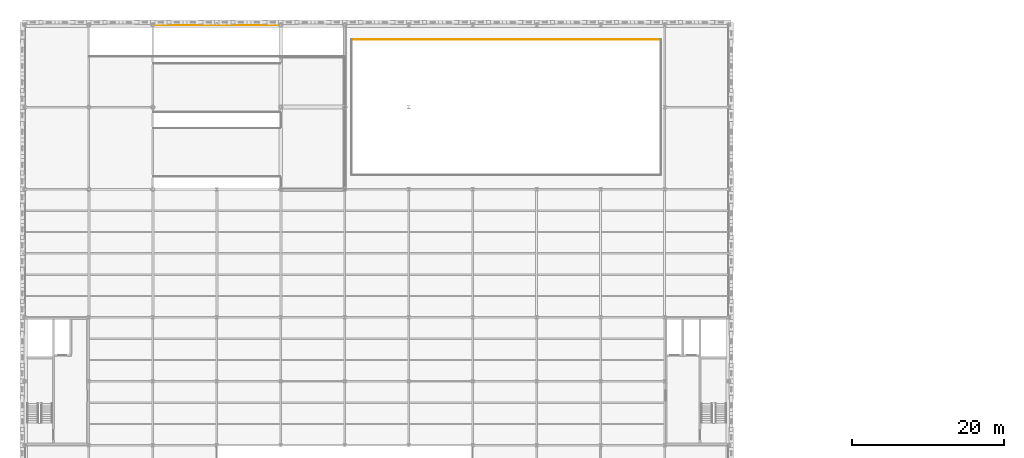
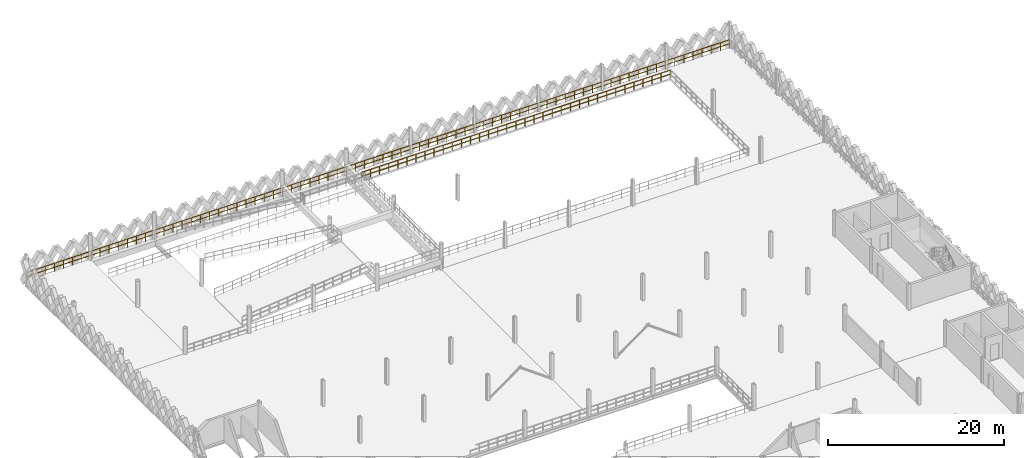
# One storey, part 60 of 62: 2 railings.
"""IFC4 building model written with IfcOpenShell, lengths in metres."""

from ifc_helpers import new_model, si_unit, direction, frame, origin, origin_2d, place, context, subcontext, project, spatial, circle, extrude, material, type_object, element, save


model = new_model("IFC4")

# Units and contexts
model_context = context("Model", 3, precision=1e-05, world=origin(), true_north=direction((0.0, 1.0)))
body_context = subcontext(model_context, "Body", "Model", "MODEL_VIEW")
ifc_project = project(units=[si_unit("LENGTHUNIT", "METRE"), si_unit("AREAUNIT", "SQUARE_METRE"), si_unit("VOLUMEUNIT", "CUBIC_METRE"), si_unit("PLANEANGLEUNIT", "RADIAN"), si_unit("MASSUNIT", "GRAM", prefix="KILO"), si_unit("THERMODYNAMICTEMPERATUREUNIT", "KELVIN"), si_unit("POWERUNIT", "WATT")], contexts=[model_context])

# Site, building, storey
site_placement = place(None, origin())
site = spatial("IfcSite", under=ifc_project, at=site_placement, CompositionType="ELEMENT")
building_placement = place(site_placement, origin())
building = spatial("IfcBuilding", under=site, at=building_placement, Name="Tembeka Court Mobility Hub", CompositionType="ELEMENT")
storey_placement = place(building_placement, frame((0.0, 0.0, 16.199951171875)))
storey = spatial("IfcBuildingStorey", under=building, at=storey_placement, Name="L04", CompositionType="ELEMENT", Elevation=16.199951171875)

# Railings
ifc_material = material(Name="Painted galvanised steel balustrade", Category="steel")
railing_type_1 = type_object("IfcRailingType", Name="RL-GR01", PredefinedType="GUARDRAIL", material=ifc_material)
railing_1_placement = place(storey_placement, frame((83.469970703125, 116.89990234375, 0.0)))
element("IfcRailing", 1, at=railing_1_placement, inside=storey, type_object=railing_type_1, Name="Perimeter guard GR01-0145", PredefinedType="GUARDRAIL", context=body_context, shape_type="SweptSolid", body=[
    extrude(circle(Radius=0.02392578125, at=origin_2d()), frame((0.0, 0.0, 1.09619140625), z_axis=(-1.0, 0.0, 0.0), x_axis=(0.0, -1.0, 0.0)), (0.0, 0.0, 1.0), 40.5400390625),
    extrude(circle(Radius=0.02392578125, at=origin_2d()), frame((0.0, 0.0, 0.5361328125), z_axis=(-1.0, 0.0, 0.0), x_axis=(0.0, -1.0, 0.0)), (0.0, 0.0, 1.0), 40.5400390625),
    extrude(circle(Radius=0.02099609375, at=origin_2d()), origin(), (0.0, 0.0, 1.0), 1.072021484375),
    extrude(circle(Radius=0.02099609375, at=origin_2d()), frame((-1.1923828125, 0.0, 0.0)), (0.0, 0.0, 1.0), 1.072021484375),
    extrude(circle(Radius=0.02099609375, at=origin_2d()), frame((-2.384765625, 0.0, 0.0)), (0.0, 0.0, 1.0), 1.072021484375),
    extrude(circle(Radius=0.02099609375, at=origin_2d()), frame((-3.5771484375, 0.0, 0.0)), (0.0, 0.0, 1.0), 1.072021484375),
    extrude(circle(Radius=0.02099609375, at=origin_2d()), frame((-4.76953125, 0.0, 0.0)), (0.0, 0.0, 1.0), 1.072021484375),
    extrude(circle(Radius=0.02099609375, at=origin_2d()), frame((-5.961669921875, 0.0, 0.0)), (0.0, 0.0, 1.0), 1.072021484375),
    extrude(circle(Radius=0.02099609375, at=origin_2d()), frame((-7.154052734375, 0.0, 0.0)), (0.0, 0.0, 1.0), 1.072021484375),
    extrude(circle(Radius=0.02099609375, at=origin_2d()), frame((-8.346435546875, 0.0, 0.0)), (0.0, 0.0, 1.0), 1.072021484375),
    extrude(circle(Radius=0.02099609375, at=origin_2d()), frame((-9.538818359375, 0.0, 0.0)), (0.0, 0.0, 1.0), 1.072021484375),
    extrude(circle(Radius=0.02099609375, at=origin_2d()), frame((-10.731201171875, 0.0, 0.0)), (0.0, 0.0, 1.0), 1.072021484375),
    extrude(circle(Radius=0.02099609375, at=origin_2d()), frame((-11.923583984375, 0.0, 0.0)), (0.0, 0.0, 1.0), 1.072021484375),
    extrude(circle(Radius=0.02099609375, at=origin_2d()), frame((-13.115966796875, 0.0, 0.0)), (0.0, 0.0, 1.0), 1.072021484375),
    extrude(circle(Radius=0.02099609375, at=origin_2d()), frame((-14.308349609375, 0.0, 0.0)), (0.0, 0.0, 1.0), 1.072021484375),
    extrude(circle(Radius=0.02099609375, at=origin_2d()), frame((-15.50048828125, 0.0, 0.0)), (0.0, 0.0, 1.0), 1.072021484375),
    extrude(circle(Radius=0.02099609375, at=origin_2d()), frame((-16.69287109375, 0.0, 0.0)), (0.0, 0.0, 1.0), 1.072021484375),
    extrude(circle(Radius=0.02099609375, at=origin_2d()), frame((-17.88525390625, 0.0, 0.0)), (0.0, 0.0, 1.0), 1.072021484375),
    extrude(circle(Radius=0.02099609375, at=origin_2d()), frame((-19.07763671875, 0.0, 0.0)), (0.0, 0.0, 1.0), 1.072021484375),
    extrude(circle(Radius=0.02099609375, at=origin_2d()), frame((-20.27001953125, 0.0, 0.0)), (0.0, 0.0, 1.0), 1.072021484375),
    extrude(circle(Radius=0.02099609375, at=origin_2d()), frame((-21.46240234375, 0.0, 0.0)), (0.0, 0.0, 1.0), 1.072021484375),
    extrude(circle(Radius=0.02099609375, at=origin_2d()), frame((-22.65478515625, 0.0, 0.0)), (0.0, 0.0, 1.0), 1.072021484375),
    extrude(circle(Radius=0.02099609375, at=origin_2d()), frame((-23.84716796875, 0.0, 0.0)), (0.0, 0.0, 1.0), 1.072021484375),
    extrude(circle(Radius=0.02099609375, at=origin_2d()), frame((-25.03955078125, 0.0, 0.0)), (0.0, 0.0, 1.0), 1.072021484375),
    extrude(circle(Radius=0.02099609375, at=origin_2d()), frame((-26.231689453125, 0.0, 0.0)), (0.0, 0.0, 1.0), 1.072021484375),
    extrude(circle(Radius=0.02099609375, at=origin_2d()), frame((-27.424072265625, 0.0, 0.0)), (0.0, 0.0, 1.0), 1.072021484375),
    extrude(circle(Radius=0.02099609375, at=origin_2d()), frame((-28.616455078125, 0.0, 0.0)), (0.0, 0.0, 1.0), 1.072021484375),
    extrude(circle(Radius=0.02099609375, at=origin_2d()), frame((-29.808837890625, 0.0, 0.0)), (0.0, 0.0, 1.0), 1.072021484375),
    extrude(circle(Radius=0.02099609375, at=origin_2d()), frame((-31.001220703125, 0.0, 0.0)), (0.0, 0.0, 1.0), 1.072021484375),
    extrude(circle(Radius=0.02099609375, at=origin_2d()), frame((-32.193603515625, 0.0, 0.0)), (0.0, 0.0, 1.0), 1.072021484375),
    extrude(circle(Radius=0.02099609375, at=origin_2d()), frame((-33.385986328125, 0.0, 0.0)), (0.0, 0.0, 1.0), 1.072021484375),
    extrude(circle(Radius=0.02099609375, at=origin_2d()), frame((-34.578369140625, 0.0, 0.0)), (0.0, 0.0, 1.0), 1.072021484375),
    extrude(circle(Radius=0.02099609375, at=origin_2d()), frame((-35.7705078125, 0.0, 0.0)), (0.0, 0.0, 1.0), 1.072021484375),
    extrude(circle(Radius=0.02099609375, at=origin_2d()), frame((-36.962890625, 0.0, 0.0)), (0.0, 0.0, 1.0), 1.072021484375),
    extrude(circle(Radius=0.02099609375, at=origin_2d()), frame((-38.1552734375, 0.0, 0.0)), (0.0, 0.0, 1.0), 1.072021484375),
    extrude(circle(Radius=0.02099609375, at=origin_2d()), frame((-39.34765625, 0.0, 0.0)), (0.0, 0.0, 1.0), 1.072021484375),
    extrude(circle(Radius=0.02099609375, at=origin_2d()), frame((-40.5400390625, 0.0, 0.0)), (0.0, 0.0, 1.0), 1.072021484375),
])
railing_type_2 = type_object("IfcRailingType", Name="RL-GR02", PredefinedType="GUARDRAIL", material=ifc_material)
railing_2_placement = place(storey_placement, frame((0.080078125, 118.75, 0.0)))
element("IfcRailing", 2, at=railing_2_placement, inside=storey, type_object=railing_type_2, Name="Perimeter guard GR02-0148", PredefinedType="GUARDRAIL", context=body_context, shape_type="SweptSolid", body=[
    extrude(circle(Radius=0.02392578125, at=origin_2d()), frame((0.0, 0.0, 1.09619140625), z_axis=(1.0, 0.0, 0.0), x_axis=(0.0, 1.0, 0.0)), (0.0, 0.0, 1.0), 92.239990234375),
    extrude(circle(Radius=0.02392578125, at=origin_2d()), frame((0.0, 0.0, 0.5361328125), z_axis=(1.0, 0.0, 0.0), x_axis=(0.0, 1.0, 0.0)), (0.0, 0.0, 1.0), 92.239990234375),
    extrude(circle(Radius=0.02099609375, at=origin_2d()), origin(), (0.0, 0.0, 1.0), 1.072021484375),
    extrude(circle(Radius=0.02099609375, at=origin_2d()), frame((1.197998046875, 0.0, 0.0)), (0.0, 0.0, 1.0), 1.072021484375),
    extrude(circle(Radius=0.02099609375, at=origin_2d()), frame((2.395751953125, 0.0, 0.0)), (0.0, 0.0, 1.0), 1.072021484375),
    extrude(circle(Radius=0.02099609375, at=origin_2d()), frame((3.59375, 0.0, 0.0)), (0.0, 0.0, 1.0), 1.072021484375),
    extrude(circle(Radius=0.02099609375, at=origin_2d()), frame((4.791748046875, 0.0, 0.0)), (0.0, 0.0, 1.0), 1.072021484375),
    extrude(circle(Radius=0.02099609375, at=origin_2d()), frame((5.989501953125, 0.0, 0.0)), (0.0, 0.0, 1.0), 1.072021484375),
    extrude(circle(Radius=0.02099609375, at=origin_2d()), frame((7.1875, 0.0, 0.0)), (0.0, 0.0, 1.0), 1.072021484375),
    extrude(circle(Radius=0.02099609375, at=origin_2d()), frame((8.385498046875, 0.0, 0.0)), (0.0, 0.0, 1.0), 1.072021484375),
    extrude(circle(Radius=0.02099609375, at=origin_2d()), frame((9.58349609375, 0.0, 0.0)), (0.0, 0.0, 1.0), 1.072021484375),
    extrude(circle(Radius=0.02099609375, at=origin_2d()), frame((10.78125, 0.0, 0.0)), (0.0, 0.0, 1.0), 1.072021484375),
    extrude(circle(Radius=0.02099609375, at=origin_2d()), frame((11.979248046875, 0.0, 0.0)), (0.0, 0.0, 1.0), 1.072021484375),
    extrude(circle(Radius=0.02099609375, at=origin_2d()), frame((13.17724609375, 0.0, 0.0)), (0.0, 0.0, 1.0), 1.072021484375),
    extrude(circle(Radius=0.02099609375, at=origin_2d()), frame((14.375, 0.0, 0.0)), (0.0, 0.0, 1.0), 1.072021484375),
    extrude(circle(Radius=0.02099609375, at=origin_2d()), frame((15.572998046875, 0.0, 0.0)), (0.0, 0.0, 1.0), 1.072021484375),
    extrude(circle(Radius=0.02099609375, at=origin_2d()), frame((16.77099609375, 0.0, 0.0)), (0.0, 0.0, 1.0), 1.072021484375),
    extrude(circle(Radius=0.02099609375, at=origin_2d()), frame((17.96875, 0.0, 0.0)), (0.0, 0.0, 1.0), 1.072021484375),
    extrude(circle(Radius=0.02099609375, at=origin_2d()), frame((19.166748046875, 0.0, 0.0)), (0.0, 0.0, 1.0), 1.072021484375),
    extrude(circle(Radius=0.02099609375, at=origin_2d()), frame((20.36474609375, 0.0, 0.0)), (0.0, 0.0, 1.0), 1.072021484375),
    extrude(circle(Radius=0.02099609375, at=origin_2d()), frame((21.5625, 0.0, 0.0)), (0.0, 0.0, 1.0), 1.072021484375),
    extrude(circle(Radius=0.02099609375, at=origin_2d()), frame((22.760498046875, 0.0, 0.0)), (0.0, 0.0, 1.0), 1.072021484375),
    extrude(circle(Radius=0.02099609375, at=origin_2d()), frame((23.95849609375, 0.0, 0.0)), (0.0, 0.0, 1.0), 1.072021484375),
    extrude(circle(Radius=0.02099609375, at=origin_2d()), frame((25.15625, 0.0, 0.0)), (0.0, 0.0, 1.0), 1.072021484375),
    extrude(circle(Radius=0.02099609375, at=origin_2d()), frame((26.354248046875, 0.0, 0.0)), (0.0, 0.0, 1.0), 1.072021484375),
    extrude(circle(Radius=0.02099609375, at=origin_2d()), frame((27.55224609375, 0.0, 0.0)), (0.0, 0.0, 1.0), 1.072021484375),
    extrude(circle(Radius=0.02099609375, at=origin_2d()), frame((28.750244140625, 0.0, 0.0)), (0.0, 0.0, 1.0), 1.072021484375),
    extrude(circle(Radius=0.02099609375, at=origin_2d()), frame((29.947998046875, 0.0, 0.0)), (0.0, 0.0, 1.0), 1.072021484375),
    extrude(circle(Radius=0.02099609375, at=origin_2d()), frame((31.14599609375, 0.0, 0.0)), (0.0, 0.0, 1.0), 1.072021484375),
    extrude(circle(Radius=0.02099609375, at=origin_2d()), frame((32.343994140625, 0.0, 0.0)), (0.0, 0.0, 1.0), 1.072021484375),
    extrude(circle(Radius=0.02099609375, at=origin_2d()), frame((33.541748046875, 0.0, 0.0)), (0.0, 0.0, 1.0), 1.072021484375),
    extrude(circle(Radius=0.02099609375, at=origin_2d()), frame((34.73974609375, 0.0, 0.0)), (0.0, 0.0, 1.0), 1.072021484375),
    extrude(circle(Radius=0.02099609375, at=origin_2d()), frame((35.937744140625, 0.0, 0.0)), (0.0, 0.0, 1.0), 1.072021484375),
    extrude(circle(Radius=0.02099609375, at=origin_2d()), frame((37.135498046875, 0.0, 0.0)), (0.0, 0.0, 1.0), 1.072021484375),
    extrude(circle(Radius=0.02099609375, at=origin_2d()), frame((38.33349609375, 0.0, 0.0)), (0.0, 0.0, 1.0), 1.072021484375),
    extrude(circle(Radius=0.02099609375, at=origin_2d()), frame((39.531494140625, 0.0, 0.0)), (0.0, 0.0, 1.0), 1.072021484375),
    extrude(circle(Radius=0.02099609375, at=origin_2d()), frame((40.729248046875, 0.0, 0.0)), (0.0, 0.0, 1.0), 1.072021484375),
    extrude(circle(Radius=0.02099609375, at=origin_2d()), frame((41.92724609375, 0.0, 0.0)), (0.0, 0.0, 1.0), 1.072021484375),
    extrude(circle(Radius=0.02099609375, at=origin_2d()), frame((43.125244140625, 0.0, 0.0)), (0.0, 0.0, 1.0), 1.072021484375),
    extrude(circle(Radius=0.02099609375, at=origin_2d()), frame((44.322998046875, 0.0, 0.0)), (0.0, 0.0, 1.0), 1.072021484375),
    extrude(circle(Radius=0.02099609375, at=origin_2d()), frame((45.52099609375, 0.0, 0.0)), (0.0, 0.0, 1.0), 1.072021484375),
    extrude(circle(Radius=0.02099609375, at=origin_2d()), frame((46.718994140625, 0.0, 0.0)), (0.0, 0.0, 1.0), 1.072021484375),
    extrude(circle(Radius=0.02099609375, at=origin_2d()), frame((47.9169921875, 0.0, 0.0)), (0.0, 0.0, 1.0), 1.072021484375),
    extrude(circle(Radius=0.02099609375, at=origin_2d()), frame((49.11474609375, 0.0, 0.0)), (0.0, 0.0, 1.0), 1.072021484375),
    extrude(circle(Radius=0.02099609375, at=origin_2d()), frame((50.312744140625, 0.0, 0.0)), (0.0, 0.0, 1.0), 1.072021484375),
    extrude(circle(Radius=0.02099609375, at=origin_2d()), frame((51.5107421875, 0.0, 0.0)), (0.0, 0.0, 1.0), 1.072021484375),
    extrude(circle(Radius=0.02099609375, at=origin_2d()), frame((52.70849609375, 0.0, 0.0)), (0.0, 0.0, 1.0), 1.072021484375),
    extrude(circle(Radius=0.02099609375, at=origin_2d()), frame((53.906494140625, 0.0, 0.0)), (0.0, 0.0, 1.0), 1.072021484375),
    extrude(circle(Radius=0.02099609375, at=origin_2d()), frame((55.1044921875, 0.0, 0.0)), (0.0, 0.0, 1.0), 1.072021484375),
    extrude(circle(Radius=0.02099609375, at=origin_2d()), frame((56.30224609375, 0.0, 0.0)), (0.0, 0.0, 1.0), 1.072021484375),
    extrude(circle(Radius=0.02099609375, at=origin_2d()), frame((57.500244140625, 0.0, 0.0)), (0.0, 0.0, 1.0), 1.072021484375),
    extrude(circle(Radius=0.02099609375, at=origin_2d()), frame((58.6982421875, 0.0, 0.0)), (0.0, 0.0, 1.0), 1.072021484375),
    extrude(circle(Radius=0.02099609375, at=origin_2d()), frame((59.89599609375, 0.0, 0.0)), (0.0, 0.0, 1.0), 1.072021484375),
    extrude(circle(Radius=0.02099609375, at=origin_2d()), frame((61.093994140625, 0.0, 0.0)), (0.0, 0.0, 1.0), 1.072021484375),
    extrude(circle(Radius=0.02099609375, at=origin_2d()), frame((62.2919921875, 0.0, 0.0)), (0.0, 0.0, 1.0), 1.072021484375),
    extrude(circle(Radius=0.02099609375, at=origin_2d()), frame((63.48974609375, 0.0, 0.0)), (0.0, 0.0, 1.0), 1.072021484375),
    extrude(circle(Radius=0.02099609375, at=origin_2d()), frame((64.687744140625, 0.0, 0.0)), (0.0, 0.0, 1.0), 1.072021484375),
    extrude(circle(Radius=0.02099609375, at=origin_2d()), frame((65.8857421875, 0.0, 0.0)), (0.0, 0.0, 1.0), 1.072021484375),
    extrude(circle(Radius=0.02099609375, at=origin_2d()), frame((67.083740234375, 0.0, 0.0)), (0.0, 0.0, 1.0), 1.072021484375),
    extrude(circle(Radius=0.02099609375, at=origin_2d()), frame((68.281494140625, 0.0, 0.0)), (0.0, 0.0, 1.0), 1.072021484375),
    extrude(circle(Radius=0.02099609375, at=origin_2d()), frame((69.4794921875, 0.0, 0.0)), (0.0, 0.0, 1.0), 1.072021484375),
    extrude(circle(Radius=0.02099609375, at=origin_2d()), frame((70.677490234375, 0.0, 0.0)), (0.0, 0.0, 1.0), 1.072021484375),
    extrude(circle(Radius=0.02099609375, at=origin_2d()), frame((71.875244140625, 0.0, 0.0)), (0.0, 0.0, 1.0), 1.072021484375),
    extrude(circle(Radius=0.02099609375, at=origin_2d()), frame((73.0732421875, 0.0, 0.0)), (0.0, 0.0, 1.0), 1.072021484375),
    extrude(circle(Radius=0.02099609375, at=origin_2d()), frame((74.271240234375, 0.0, 0.0)), (0.0, 0.0, 1.0), 1.072021484375),
    extrude(circle(Radius=0.02099609375, at=origin_2d()), frame((75.468994140625, 0.0, 0.0)), (0.0, 0.0, 1.0), 1.072021484375),
    extrude(circle(Radius=0.02099609375, at=origin_2d()), frame((76.6669921875, 0.0, 0.0)), (0.0, 0.0, 1.0), 1.072021484375),
    extrude(circle(Radius=0.02099609375, at=origin_2d()), frame((77.864990234375, 0.0, 0.0)), (0.0, 0.0, 1.0), 1.072021484375),
    extrude(circle(Radius=0.02099609375, at=origin_2d()), frame((79.062744140625, 0.0, 0.0)), (0.0, 0.0, 1.0), 1.072021484375),
    extrude(circle(Radius=0.02099609375, at=origin_2d()), frame((80.2607421875, 0.0, 0.0)), (0.0, 0.0, 1.0), 1.072021484375),
    extrude(circle(Radius=0.02099609375, at=origin_2d()), frame((81.458740234375, 0.0, 0.0)), (0.0, 0.0, 1.0), 1.072021484375),
    extrude(circle(Radius=0.02099609375, at=origin_2d()), frame((82.656494140625, 0.0, 0.0)), (0.0, 0.0, 1.0), 1.072021484375),
    extrude(circle(Radius=0.02099609375, at=origin_2d()), frame((83.8544921875, 0.0, 0.0)), (0.0, 0.0, 1.0), 1.072021484375),
    extrude(circle(Radius=0.02099609375, at=origin_2d()), frame((85.052490234375, 0.0, 0.0)), (0.0, 0.0, 1.0), 1.072021484375),
    extrude(circle(Radius=0.02099609375, at=origin_2d()), frame((86.25048828125, 0.0, 0.0)), (0.0, 0.0, 1.0), 1.072021484375),
    extrude(circle(Radius=0.02099609375, at=origin_2d()), frame((87.4482421875, 0.0, 0.0)), (0.0, 0.0, 1.0), 1.072021484375),
    extrude(circle(Radius=0.02099609375, at=origin_2d()), frame((88.646240234375, 0.0, 0.0)), (0.0, 0.0, 1.0), 1.072021484375),
    extrude(circle(Radius=0.02099609375, at=origin_2d()), frame((89.84423828125, 0.0, 0.0)), (0.0, 0.0, 1.0), 1.072021484375),
    extrude(circle(Radius=0.02099609375, at=origin_2d()), frame((91.0419921875, 0.0, 0.0)), (0.0, 0.0, 1.0), 1.072021484375),
    extrude(circle(Radius=0.02099609375, at=origin_2d()), frame((92.239990234375, 0.0, 0.0)), (0.0, 0.0, 1.0), 1.072021484375),
])

save(model, "model.ifc")
